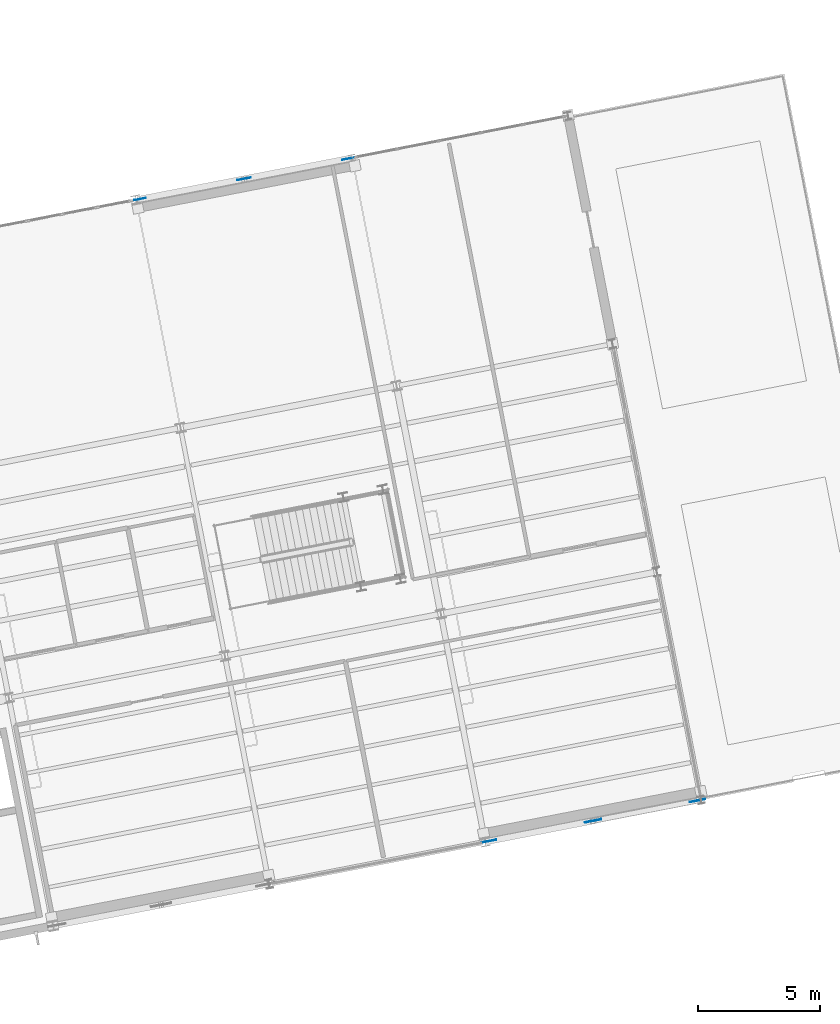
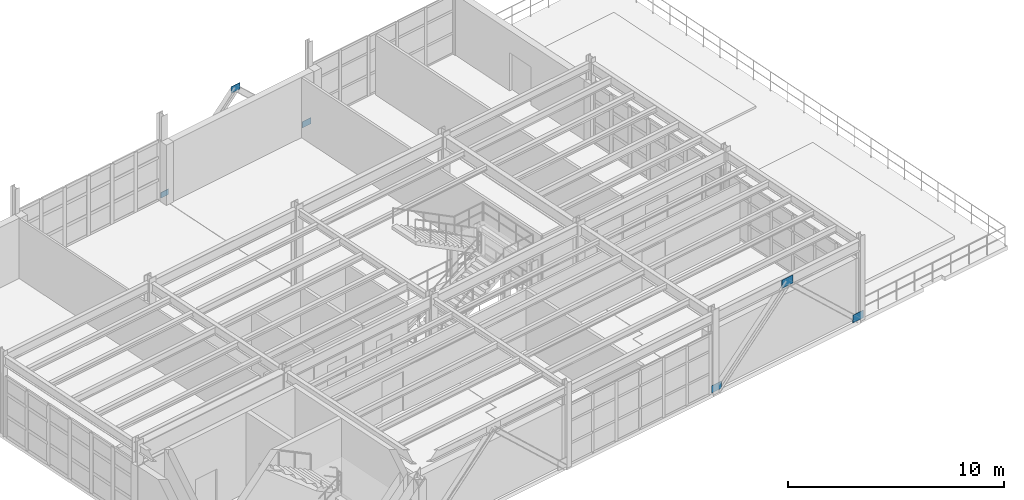
# One storey, part 78 of 109: 6 plates.
"""IFC4 building model written with IfcOpenShell, lengths in metres."""

from ifc_helpers import new_model, si_unit, direction, frame, origin, origin_2d, place, context, subcontext, project, spatial, rectangle, extrude, material, layer, layer_set, type_object, element, save


model = new_model("IFC4")

# Units and contexts
model_context = context("Model", 3, precision=1e-05, world=origin(), true_north=direction((0.0, 1.0)))
body_context = subcontext(model_context, "Body", "Model", "MODEL_VIEW")
ifc_project = project(units=[si_unit("LENGTHUNIT", "METRE"), si_unit("AREAUNIT", "SQUARE_METRE"), si_unit("VOLUMEUNIT", "CUBIC_METRE"), si_unit("PLANEANGLEUNIT", "RADIAN"), si_unit("MASSUNIT", "GRAM", prefix="KILO")], contexts=[model_context])

# Site, building, storey
site_placement = place(None, origin())
site = spatial("IfcSite", under=ifc_project, at=site_placement, CompositionType="ELEMENT")
building_placement = place(site_placement, origin())
building = spatial("IfcBuilding", under=site, at=building_placement, Name="Vireo Bluff Cable Station", CompositionType="ELEMENT")
storey_placement = place(building_placement, frame((0.0, 0.0, 4.800048828125)))
storey = spatial("IfcBuildingStorey", under=building, at=storey_placement, Name="L01", CompositionType="ELEMENT", Elevation=4.800048828125)

# Plates
ifc_material = material(Name="Steel ASTM A572 Gr. 50", Category="steel")
ifc_layer_1 = layer(ifc_material, 0.01904296875, Name="Steel ASTM A572 Gr. 50")
ifc_layer_set_1 = layer_set([ifc_layer_1], Name="Steel ASTM A572 Gr. 50")
plate_type_1 = type_object("IfcPlateType", Name="GUSSET-480X310X19", PredefinedType="USERDEFINED", material=ifc_layer_set_1)
plate_1_placement = place(storey_placement, frame((21.88818359375, 36.94140625, 0.06494140625), z_axis=(0.0, 0.0, 1.0), x_axis=(0.981627183448, 0.190808995377, 0.0)))
element("IfcPlate", 1, at=plate_1_placement, inside=storey, type_object=plate_type_1, Name="V5 L01 brace base gusset plate 251", ObjectType="GUSSET PLATE", PredefinedType="USERDEFINED", context=body_context, shape_type="SweptSolid", body=[
    extrude(rectangle(XDim=0.47998046875, YDim=0.01904296875, at=origin_2d()), origin(), (0.0, 0.0, 1.0), 0.31005859375),
])
ifc_layer_2 = layer(ifc_material, 0.02099609375, Name="Steel ASTM A572 Gr. 50")
ifc_layer_set_2 = layer_set([ifc_layer_2], Name="Steel ASTM A572 Gr. 50")
plate_type_2 = type_object("IfcPlateType", Name="GUSSET-520X350X21", PredefinedType="USERDEFINED", material=ifc_layer_set_2)
plate_2_placement = place(storey_placement, frame((30.408935546875, 38.59765625, 0.044921875), z_axis=(0.0, 0.0, 1.0), x_axis=(0.981627183448, 0.190808995377, 0.0)))
element("IfcPlate", 2, at=plate_2_placement, inside=storey, type_object=plate_type_2, Name="V5 L01 brace base gusset plate 252", ObjectType="GUSSET PLATE", PredefinedType="USERDEFINED", context=body_context, shape_type="SweptSolid", body=[
    extrude(rectangle(XDim=0.52001953125, YDim=0.02099609375, at=origin_2d()), origin(), (0.0, 0.0, 1.0), 0.35009765625),
])
ifc_layer_3 = layer(ifc_material, 0.02294921875, Name="Steel ASTM A572 Gr. 50")
ifc_layer_set_3 = layer_set([ifc_layer_3], Name="Steel ASTM A572 Gr. 50")
plate_type_3 = type_object("IfcPlateType", Name="GUSSET-560X370X23", PredefinedType="USERDEFINED", material=ifc_layer_set_3)
plate_3_placement = place(storey_placement, frame((26.1484375, 37.76953125, 3.994873046875), z_axis=(0.0, 0.0, 1.0), x_axis=(0.981627183448, 0.190808995377, 0.0)))
element("IfcPlate", 3, at=plate_3_placement, inside=storey, type_object=plate_type_3, Name="V5 L01 chevron gusset plate 253", ObjectType="GUSSET PLATE", PredefinedType="USERDEFINED", context=body_context, shape_type="SweptSolid", body=[
    extrude(rectangle(XDim=0.56005859375, YDim=0.02294921875, at=origin_2d()), origin(), (0.0, 0.0, 1.0), 0.3701171875),
])
ifc_layer_4 = layer(ifc_material, 0.02490234375, Name="Steel ASTM A572 Gr. 50")
ifc_layer_set_4 = layer_set([ifc_layer_4], Name="Steel ASTM A572 Gr. 50")
plate_type_4 = type_object("IfcPlateType", Name="GUSSET-600X410X25", PredefinedType="USERDEFINED", material=ifc_layer_set_4)
plate_4_placement = place(storey_placement, frame((36.160888671875, 10.682373046875, 0.01513671875), z_axis=(0.0, 0.0, 1.0), x_axis=(0.981627183448, 0.190808995377, 0.0)))
element("IfcPlate", 4, at=plate_4_placement, inside=storey, type_object=plate_type_4, Name="V5 L01 brace base gusset plate 254", ObjectType="GUSSET PLATE", PredefinedType="USERDEFINED", context=body_context, shape_type="SweptSolid", body=[
    extrude(rectangle(XDim=0.60009765625, YDim=0.02490234375, at=origin_2d()), origin(), (0.0, 0.0, 1.0), 0.409912109375),
])
ifc_layer_5 = layer(ifc_material, 0.027099609375, Name="Steel ASTM A572 Gr. 50")
ifc_layer_set_5 = layer_set([ifc_layer_5], Name="Steel ASTM A572 Gr. 50")
plate_type_5 = type_object("IfcPlateType", Name="GUSSET-640X430X27", PredefinedType="USERDEFINED", material=ifc_layer_set_5)
plate_5_placement = place(storey_placement, frame((44.681396484375, 12.338623046875, 0.0048828125), z_axis=(0.0, 0.0, 1.0), x_axis=(0.981627183448, 0.190808995377, 0.0)))
element("IfcPlate", 5, at=plate_5_placement, inside=storey, type_object=plate_type_5, Name="V5 L01 brace base gusset plate 255", ObjectType="GUSSET PLATE", PredefinedType="USERDEFINED", context=body_context, shape_type="SweptSolid", body=[
    extrude(rectangle(XDim=0.639892578125, YDim=0.027099609375, at=origin_2d()), origin(), (0.0, 0.0, 1.0), 0.429931640625),
])
ifc_layer_6 = layer(ifc_material, 0.029052734375, Name="Steel ASTM A572 Gr. 50")
ifc_layer_set_6 = layer_set([ifc_layer_6], Name="Steel ASTM A572 Gr. 50")
plate_type_6 = type_object("IfcPlateType", Name="GUSSET-680X460X29", PredefinedType="USERDEFINED", material=ifc_layer_set_6)
plate_6_placement = place(storey_placement, frame((40.421142578125, 11.510498046875, 3.949951171875), z_axis=(0.0, 0.0, 1.0), x_axis=(0.981627183448, 0.190808995377, 0.0)))
element("IfcPlate", 6, at=plate_6_placement, inside=storey, type_object=plate_type_6, Name="V5 L01 chevron gusset plate 256", ObjectType="GUSSET PLATE", PredefinedType="USERDEFINED", context=body_context, shape_type="SweptSolid", body=[
    extrude(rectangle(XDim=0.679931640625, YDim=0.029052734375, at=origin_2d()), origin(), (0.0, 0.0, 1.0), 0.4599609375),
])

save(model, "model.ifc")
